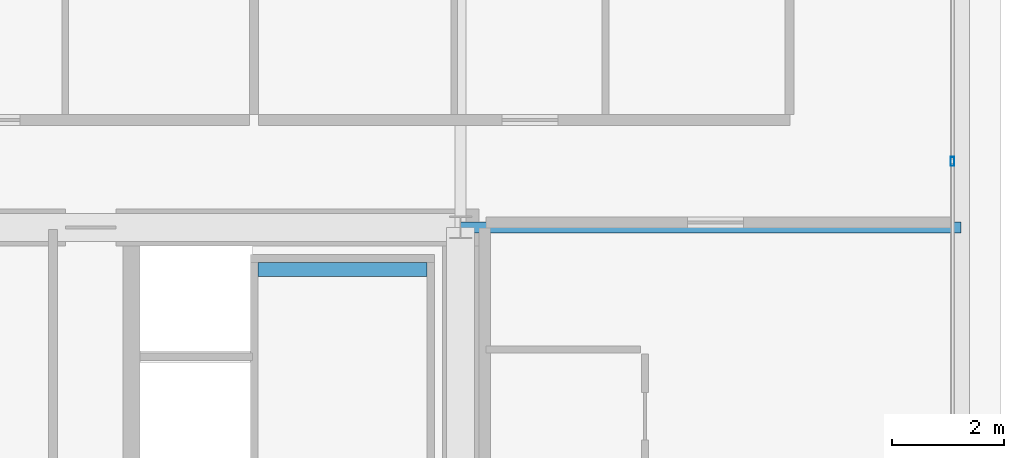
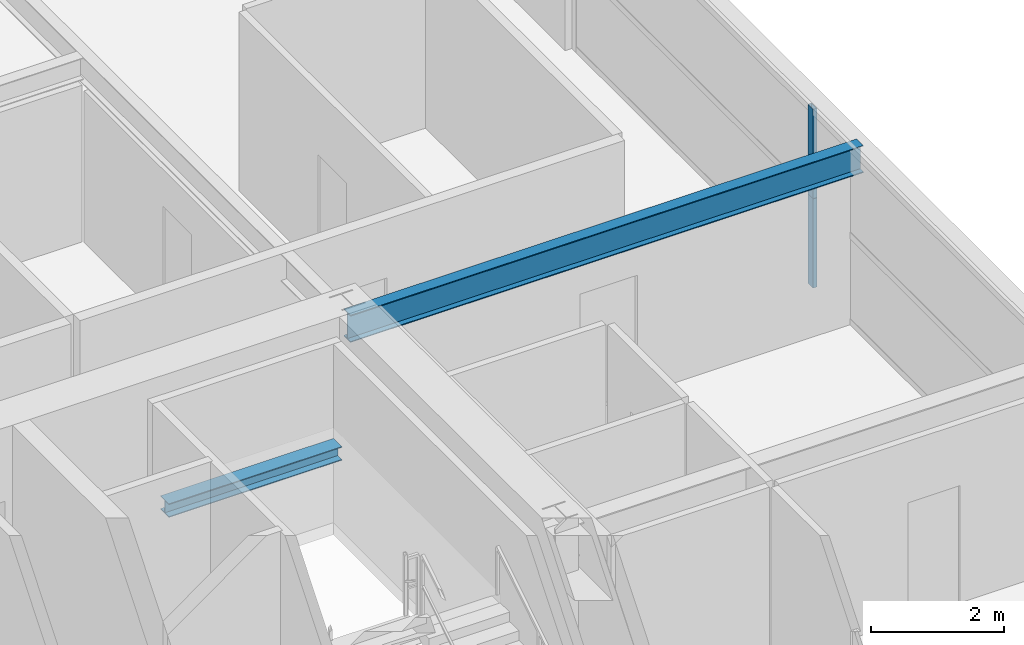
# One storey, part 21 of 38: 2 beams, 2 members, 1 element without a shape of its own.
"""IFC4 building model written with IfcOpenShell, lengths in metres."""

import ifcopenshell
import ifcopenshell.guid

model = None  # the IFC model being written
_history = None  # IfcOwnerHistory: only IFC2X3 demands one
_inside = {}  # id of a spatial element -> (the spatial element, [elements in it])
_under = {}  # id of a project, library or spatial element -> (it, [spatial elements below it])
_declared = {}  # id of a project -> (the project, [libraries it declares])
_typed = {}  # id of a type object -> (the type object, [elements of that type])
_made_of = {}  # id of a material, layer set ... -> (it, [elements and type objects made of it])


def new_model(schema):
    """Start an empty IFC model of exactly this schema.

    Asked for "IFC4X3", IfcOpenShell would pick the latest addendum, in which some entities
    have other attributes; the version numbers below select the first issue.
    IFC2X3 requires an IfcOwnerHistory on every rooted entity: one is made here for all.
    """
    global model, _history
    if schema == "IFC4X3":
        model = ifcopenshell.file(schema_version=(4, 3, 0, 0))
    else:
        model = ifcopenshell.file(schema=schema)
    _inside.clear()
    _under.clear()
    _declared.clear()
    _typed.clear()
    _made_of.clear()
    _history = None
    if model.schema == "IFC2X3":
        org = make("IfcOrganization", Name="unknown")
        user = make(
            "IfcPersonAndOrganization",
            ThePerson=make("IfcPerson", FamilyName="unknown"),
            TheOrganization=org,
        )
        app = make(
            "IfcApplication",
            ApplicationDeveloper=org,
            Version="unknown",
            ApplicationFullName="unknown",
            ApplicationIdentifier="unknown",
        )
        _history = make(
            "IfcOwnerHistory",
            OwningUser=user,
            OwningApplication=app,
            ChangeAction="ADDED",
            CreationDate=0,
        )
    return model


def make(cls, **values):
    """One entity of the class cls with the attributes given. An attribute that is None is left unset."""
    return model.create_entity(
        cls, **{name: value for name, value in values.items() if value is not None}
    )


def rooted(cls, **values):
    """An entity with a GlobalId (a new one), such as an element, a storey or a relation."""
    return make(cls, GlobalId=ifcopenshell.guid.new(), OwnerHistory=_history, **values)


def si_unit(unit_type, name, prefix=None):
    """IfcSIUnit, for example si_unit("LENGTHUNIT", "METRE", prefix="MILLI")."""
    return make("IfcSIUnit", UnitType=unit_type, Prefix=prefix, Name=name)


def assignment(units):
    """IfcUnitAssignment: the units of a project."""
    return None if units is None else make("IfcUnitAssignment", Units=units)


def point(xyz):
    """IfcCartesianPoint."""
    return None if xyz is None else make("IfcCartesianPoint", Coordinates=xyz)


def direction(xyz):
    """IfcDirection."""
    return None if xyz is None else make("IfcDirection", DirectionRatios=xyz)


def frame(location, z_axis=None, x_axis=None):
    """IfcAxis2Placement3D, a coordinate frame: its origin and axes. An axis left out is left unset."""
    return make(
        "IfcAxis2Placement3D",
        Location=point(location),
        Axis=direction(z_axis),
        RefDirection=direction(x_axis),
    )


def frame_2d(location, x_axis=None):
    """IfcAxis2Placement2D, a coordinate frame in the plane: its origin and x axis."""
    return make(
        "IfcAxis2Placement2D", Location=point(location), RefDirection=direction(x_axis)
    )


def origin():
    """The frame at (0, 0, 0) with its axes left unset."""
    return frame((0.0, 0.0, 0.0))


def origin_2d():
    """The frame at (0, 0) in the plane with its x axis left unset."""
    return frame_2d((0.0, 0.0))


def place(relative_to, where):
    """IfcLocalPlacement: puts the frame where relative to a parent placement (None: the world)."""
    return make(
        "IfcLocalPlacement", PlacementRelTo=relative_to, RelativePlacement=where
    )


def context(
    kind, dimensions, precision=None, world=None, true_north=None, identifier=None
):
    """IfcGeometricRepresentationContext, for example the 3D "Model" context."""
    return make(
        "IfcGeometricRepresentationContext",
        ContextIdentifier=identifier,
        ContextType=kind,
        CoordinateSpaceDimension=dimensions,
        Precision=precision,
        WorldCoordinateSystem=world,
        TrueNorth=true_north,
    )


def subcontext(parent, identifier, kind, view, scale=None):
    """IfcGeometricRepresentationSubContext, for example "Body" below "Model"."""
    return make(
        "IfcGeometricRepresentationSubContext",
        ContextIdentifier=identifier,
        ContextType=kind,
        ParentContext=parent,
        TargetScale=scale,
        TargetView=view,
    )


def project(units=None, contexts=None):
    """IfcProject with its units and contexts."""
    return rooted(
        "IfcProject",
        Name="project",
        RepresentationContexts=contexts,
        UnitsInContext=assignment(units),
    )


def spatial(cls, under=None, at=None, **own):
    """A site, building, storey or space (cls), placed at a placement, below another one or the project."""
    s = rooted(cls, ObjectPlacement=at, **own)
    if under is not None:
        _under.setdefault(under.id(), (under, []))[1].append(s)
    return s


def profile(cls, at=None, kind="AREA", **sizes):
    """A parametric profile (cls). Its sizes go by their IFC names, for example OverallWidth=200.0."""
    return make(cls, ProfileType=kind, Position=at, **sizes)


def hollow_rectangle(**sizes):
    """IfcRectangleHollowProfileDef."""
    return profile("IfcRectangleHollowProfileDef", **sizes)


def i_section(**sizes):
    """IfcIShapeProfileDef."""
    return profile("IfcIShapeProfileDef", **sizes)


def extrude(swept, where, along, depth):
    """IfcExtrudedAreaSolid: the profile swept, set in the frame where, extruded along a direction by depth."""
    return make(
        "IfcExtrudedAreaSolid",
        SweptArea=swept,
        Position=where,
        ExtrudedDirection=direction(along),
        Depth=depth,
    )


def shape(context_of_items, identifier, shape_type, items):
    """IfcShapeRepresentation: the items that make up one representation, for example the "Body"."""
    return make(
        "IfcShapeRepresentation",
        ContextOfItems=context_of_items,
        RepresentationIdentifier=identifier,
        RepresentationType=shape_type,
        Items=items,
    )


def source(mapping_origin, context_of_items, identifier, shape_type, items):
    """IfcRepresentationMap: a shape defined once, which mapped items show again and again."""
    return make(
        "IfcRepresentationMap",
        MappingOrigin=mapping_origin,
        MappedRepresentation=shape(context_of_items, identifier, shape_type, items),
    )


def transform(
    local_origin,
    x_axis=None,
    y_axis=None,
    z_axis=None,
    scale=None,
    scale2=None,
    scale3=None,
    uniform=True,
):
    """IfcCartesianTransformationOperator3D, or its non-uniform kind. x_axis, y_axis, z_axis: its Axis1, 2, 3."""
    if uniform:
        return make(
            "IfcCartesianTransformationOperator3D",
            Axis1=direction(x_axis),
            Axis2=direction(y_axis),
            LocalOrigin=point(local_origin),
            Scale=scale,
            Axis3=direction(z_axis),
        )
    return make(
        "IfcCartesianTransformationOperator3DnonUniform",
        Axis1=direction(x_axis),
        Axis2=direction(y_axis),
        LocalOrigin=point(local_origin),
        Scale=scale,
        Axis3=direction(z_axis),
        Scale2=scale2,
        Scale3=scale3,
    )


def mapped(mapping_source, mapping_target):
    """IfcMappedItem: shows the shape of a source again, moved by a transform."""
    return make(
        "IfcMappedItem", MappingSource=mapping_source, MappingTarget=mapping_target
    )


def material(Name=None, Category=None):
    """IfcMaterial."""
    return make("IfcMaterial", Name=Name, Category=Category)


def layer(
    of_material, thickness, ventilated=None, Name=None, Category=None, Priority=None
):
    """IfcMaterialLayer: one layer of a wall or slab, of a material (None: an air gap)."""
    return make(
        "IfcMaterialLayer",
        Material=of_material,
        LayerThickness=thickness,
        IsVentilated=ventilated,
        Name=Name,
        Category=Category,
        Priority=Priority,
    )


def layer_set(layers, Name=None):
    """IfcMaterialLayerSet."""
    return make("IfcMaterialLayerSet", MaterialLayers=layers, LayerSetName=Name)


def material_profile(
    of_material, cross_section, Name=None, Category=None, Priority=None
):
    """IfcMaterialProfile: a cross section and its material."""
    return make(
        "IfcMaterialProfile",
        Name=Name,
        Material=of_material,
        Profile=cross_section,
        Priority=Priority,
        Category=Category,
    )


def profile_set(profiles, Name=None, composite=None):
    """IfcMaterialProfileSet."""
    return make(
        "IfcMaterialProfileSet",
        Name=Name,
        MaterialProfiles=profiles,
        CompositeProfile=composite,
    )


def made_of(thing, what):
    """Note that an element or type object is made of a material, layer set ...; save() writes the relation."""
    if what is not None:
        _made_of.setdefault(what.id(), (what, []))[1].append(thing)
    return thing


def type_object(cls, material=None, **own):
    """A type object (cls), such as IfcWallType, which elements share."""
    return made_of(rooted(cls, **own), material)


def element(
    cls,
    number,
    at=None,
    inside=None,
    cuts=None,
    type_object=None,
    material=None,
    context=None,
    identifier="Body",
    shape_type=None,
    held_by="IfcProductDefinitionShape",
    body=None,
    shapes=None,
    **own,
):
    """One element of the class cls, such as IfcWall. Its Tag is "e" and its number.

    at: its placement. inside: the storey or other place that contains it. cuts: it is an
    opening in that element (IfcRelVoidsElement). A single representation is given by context,
    identifier, shape_type and body (its items); several are given by shapes. held_by: the class
    of the entity that holds the representations. save() writes the other relations.
    """
    e = rooted(cls, Tag="e%d" % number, ObjectPlacement=at, **own)
    if body is not None:
        shapes = [shape(context, identifier, shape_type, body)]
    if shapes is not None:
        e.Representation = make(held_by, Representations=shapes)
    if inside is not None:
        _inside.setdefault(inside.id(), (inside, []))[1].append(e)
    if cuts is not None:
        rooted(
            "IfcRelVoidsElement", RelatingBuildingElement=cuts, RelatedOpeningElement=e
        )
    if type_object is not None:
        _typed.setdefault(type_object.id(), (type_object, []))[1].append(e)
    return made_of(e, material)


def aggregate(whole, parts):
    """IfcRelAggregates: a whole, such as a stair, and the parts it consists of."""
    return rooted("IfcRelAggregates", RelatingObject=whole, RelatedObjects=parts)


def save(model, path):
    """Write the relations noted so far, then the file.

    IfcRelAggregates (storeys below a building ...), IfcRelContainedInSpatialStructure (elements
    in a storey), IfcRelDefinesByType, IfcRelAssociatesMaterial and IfcRelDeclares: one each for
    every whole, place, type object, material and project.
    """
    for whole, parts in _under.values():
        aggregate(whole, parts)
    for where, things in _inside.values():
        rooted(
            "IfcRelContainedInSpatialStructure",
            RelatedElements=things,
            RelatingStructure=where,
        )
    for kind, things in _typed.values():
        rooted("IfcRelDefinesByType", RelatedObjects=things, RelatingType=kind)
    for what, things in _made_of.values():
        rooted("IfcRelAssociatesMaterial", RelatedObjects=things, RelatingMaterial=what)
    for by, libraries in _declared.values():
        rooted("IfcRelDeclares", RelatingContext=by, RelatedDefinitions=libraries)
    model.write(path)


model = new_model("IFC4")

# Units and contexts
model_context = context("Model", 3, precision=1e-05, world=origin(), true_north=direction((0.0, 1.0)))
body_context = subcontext(model_context, "Body", "Model", "MODEL_VIEW")
ifc_project = project(units=[si_unit("LENGTHUNIT", "METRE"), si_unit("AREAUNIT", "SQUARE_METRE"), si_unit("VOLUMEUNIT", "CUBIC_METRE"), si_unit("PLANEANGLEUNIT", "RADIAN"), si_unit("MASSUNIT", "GRAM", prefix="KILO"), si_unit("THERMODYNAMICTEMPERATUREUNIT", "KELVIN"), si_unit("POWERUNIT", "WATT")], contexts=[model_context])

# Site, building, storey
site_placement = place(None, origin())
site = spatial("IfcSite", under=ifc_project, at=site_placement, CompositionType="ELEMENT")
building_placement = place(site_placement, origin())
building = spatial("IfcBuilding", under=site, at=building_placement, Name="Yuzanri Waterfront Tower", CompositionType="ELEMENT")
storey_placement = place(building_placement, frame((0.0, 0.0, 188.0)))
storey = spatial("IfcBuildingStorey", under=building, at=storey_placement, Name="L49", CompositionType="ELEMENT", Elevation=188.0)

# Beam
ifc_material_1 = material(Name="Steel Q355B", Category="steel")
ifc_material_profile_1 = material_profile(ifc_material_1, i_section(OverallWidth=0.199951171875, OverallDepth=0.5, WebThickness=0.010009765625, FlangeThickness=0.01611328125, at=origin_2d()), Name="HN 500x200x10x16")
ifc_profile_set_1 = profile_set([ifc_material_profile_1], Name="Steel Q355B")
beam_type_1 = type_object("IfcBeamType", Name="Secondary Floor Beam Q355B HN 500x200", PredefinedType="BEAM", material=ifc_profile_set_1)
shared_shape_1 = source(origin(), body_context, "Body", "SweptSolid", [
    extrude(i_section(OverallWidth=0.199951171875, OverallDepth=0.5, WebThickness=0.010009765625, FlangeThickness=0.01611328125, at=origin_2d()), origin(), (0.0, 0.0, 1.0), 8.900146484375),
])
beam_1_placement = place(storey_placement, frame((50.199951171875, 32.199951171875, 3.030029296875), z_axis=(1.0, 0.0, 0.0), x_axis=(0.0, 1.0, 0.0)))
element("IfcBeam", 1, at=beam_1_placement, inside=storey, type_object=beam_type_1, Name="L49 East-North Core Line Beam", PredefinedType="BEAM", context=body_context, shape_type="MappedRepresentation", body=[
    mapped(shared_shape_1, transform((0.0, 0.0, 0.0), scale=1.0)),
])

# Curtain wall, members
ifc_material_2 = material(Name="Anodized Architectural Bronze", Category="metal")
ifc_layer = layer(ifc_material_2, 0.159912109375)
ifc_layer_set = layer_set([ifc_layer], Name="Anodized Architectural Bronze")
curtain_wall_type = type_object("IfcCurtainWallType", Name="Anodized Bronze Mid-Rise Residential Acoustic Unitized Curtain Wall 7200", PredefinedType="NOTDEFINED", material=ifc_layer_set)
curtain_wall_placement = place(storey_placement, origin())
curtain_wall = element("IfcCurtainWall", 2, at=curtain_wall_placement, inside=storey, type_object=curtain_wall_type, Name="L49 Curtain Wall CW-L49-ER", PredefinedType="NOTDEFINED")
ifc_material_3 = material(Name="Anodized Architectural Bronze", Category="metal")
ifc_material_profile_2 = material_profile(ifc_material_3, hollow_rectangle(XDim=0.06494140625, YDim=0.159912109375, WallThickness=0.00341796875, at=origin_2d()), Name="CWM 65x160")
ifc_profile_set_2 = profile_set([ifc_material_profile_2], Name="Anodized Architectural Bronze")
member_type = type_object("IfcMemberType", Name="Anodized Bronze Upper-Zone Curtain-Wall Mullion 65x160", PredefinedType="MULLION", material=ifc_profile_set_2)
shared_shape_2 = source(origin(), body_context, "Body", "SweptSolid", [
    extrude(hollow_rectangle(XDim=0.06494140625, YDim=0.159912109375, WallThickness=0.00341796875, at=origin_2d()), origin(), (0.0, 0.0, 1.0), 1.637939453125),
])
member_1_placement = place(storey_placement, frame((58.949951171875, 33.375, 0.0), z_axis=(0.0, 0.0, 1.0), x_axis=(1.0, 0.0, 0.0)))
member_1 = element("IfcMember", 3, at=member_1_placement, type_object=member_type, Name="CW-L49-ER Lower Mullion 01", PredefinedType="MULLION", context=body_context, shape_type="MappedRepresentation", body=[
    mapped(shared_shape_2, transform((0.0, 0.0, 0.0), scale=1.0)),
])
member_2_placement = place(storey_placement, frame((58.949951171875, 33.375, 1.64208984375), z_axis=(0.0, 0.0, 1.0), x_axis=(1.0, 0.0, 0.0)))
member_2 = element("IfcMember", 4, at=member_2_placement, type_object=member_type, Name="CW-L49-ER Upper Mullion 01", PredefinedType="MULLION", context=body_context, shape_type="MappedRepresentation", body=[
    mapped(shared_shape_2, transform((0.0, 0.0, 0.0), scale=1.0)),
])
aggregate(curtain_wall, [member_1, member_2])

# Beam
ifc_material_4 = material(Name="Steel Q355B", Category="steel")
ifc_material_profile_3 = material_profile(ifc_material_4, i_section(OverallWidth=0.25, OverallDepth=0.25, WebThickness=0.009033203125, FlangeThickness=0.013916015625, at=origin_2d()), Name="HW 250x250x9x14")
ifc_profile_set_3 = profile_set([ifc_material_profile_3], Name="Steel Q355B")
beam_type_2 = type_object("IfcBeamType", Name="Stair Landing Support Beam Q355B HW 250x250", PredefinedType="BEAM", material=ifc_profile_set_3)
shared_shape_3 = source(origin(), body_context, "Body", "SweptSolid", [
    extrude(i_section(OverallWidth=0.25, OverallDepth=0.25, WebThickness=0.009033203125, FlangeThickness=0.013916015625, at=origin_2d()), origin(), (0.0, 0.0, 1.0), 3.0),
])
beam_2_placement = place(storey_placement, frame((46.60009765625, 31.449951171875, 1.425048828125), z_axis=(1.0, 0.0, 0.0), x_axis=(0.0, 1.0, 0.0)))
element("IfcBeam", 5, at=beam_2_placement, inside=storey, type_object=beam_type_2, Name="L49 Stair Landing Support Beam ST-02-L49-L1-2", PredefinedType="BEAM", context=body_context, shape_type="MappedRepresentation", body=[
    mapped(shared_shape_3, transform((0.0, 0.0, 0.0), scale=1.0)),
])

save(model, "model.ifc")
